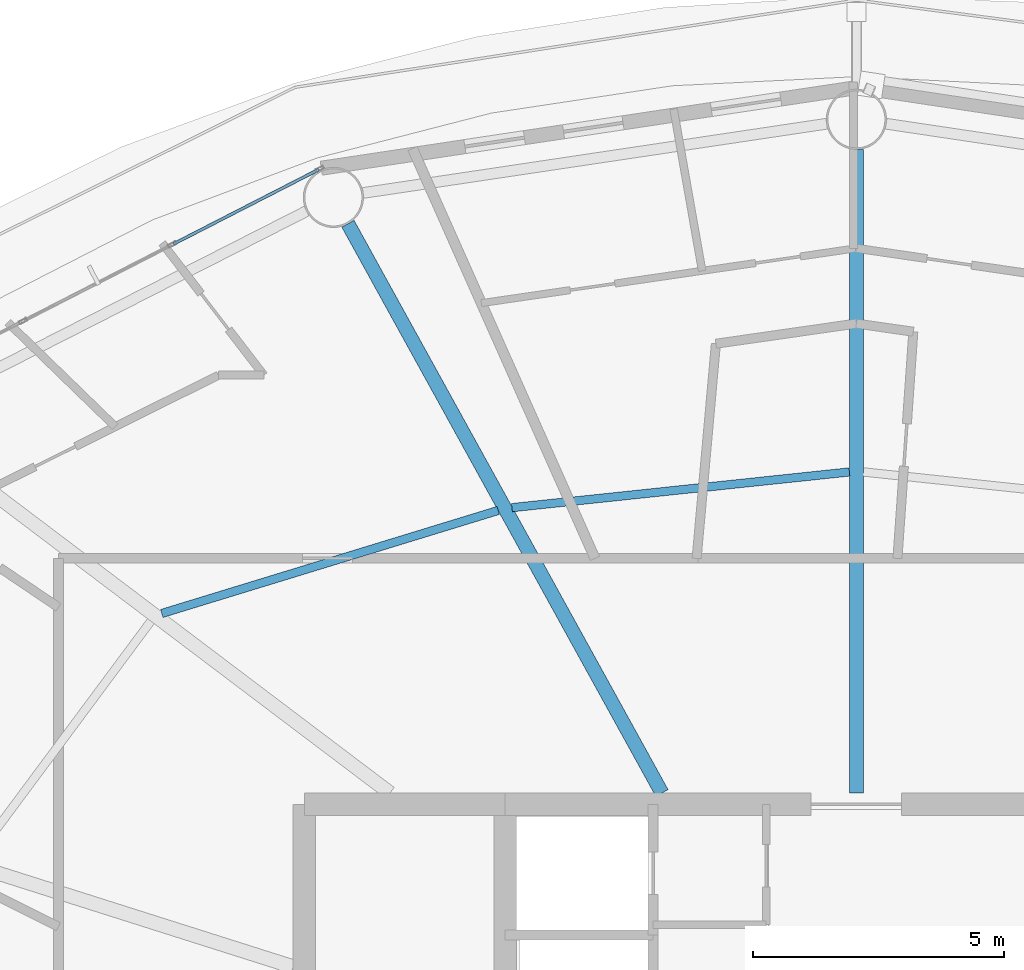
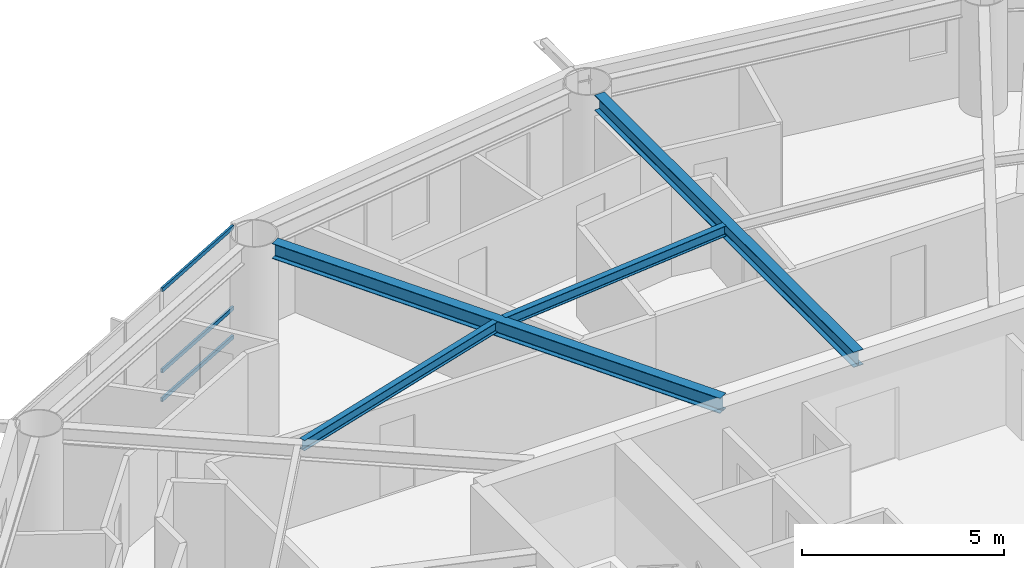
# One storey, part 12 of 28: 4 beams, 3 members, 1 element without a shape of its own.
"""IFC4 building model written with IfcOpenShell, lengths in metres."""

from ifc_helpers import new_model, si_unit, direction, frame, origin, origin_2d, place, context, subcontext, project, spatial, hollow_rectangle, i_section, extrude, material, layer, layer_set, material_profile, profile_set, type_object, element, aggregate, save


model = new_model("IFC4")

# Units and contexts
model_context = context("Model", 3, precision=1e-05, world=origin(), true_north=direction((0.0, 1.0)))
body_context = subcontext(model_context, "Body", "Model", "MODEL_VIEW")
ifc_project = project(units=[si_unit("LENGTHUNIT", "METRE"), si_unit("AREAUNIT", "SQUARE_METRE"), si_unit("VOLUMEUNIT", "CUBIC_METRE"), si_unit("PLANEANGLEUNIT", "RADIAN"), si_unit("MASSUNIT", "GRAM", prefix="KILO")], contexts=[model_context])

# Site, building, storey
site_placement = place(None, origin())
site = spatial("IfcSite", under=ifc_project, at=site_placement, CompositionType="ELEMENT")
building_placement = place(site_placement, origin())
building = spatial("IfcBuilding", under=site, at=building_placement, Name="Sarneth Arch Tower", CompositionType="ELEMENT")
storey_placement = place(building_placement, frame((0.0, 0.0, 190.199951171875)))
storey = spatial("IfcBuildingStorey", under=building, at=storey_placement, Name="L48", CompositionType="ELEMENT", Elevation=190.199951171875)

# Beams
ifc_material_1 = material(Name="Steel S355", Category="steel")
ifc_material_profile_1 = material_profile(ifc_material_1, i_section(OverallWidth=0.1669921875, OverallDepth=0.31689453125, WebThickness=0.007568359375, FlangeThickness=0.01318359375, FilletRadius=0.012939453125, at=origin_2d()), Name="W310x52")
ifc_profile_set_1 = profile_set([ifc_material_profile_1], Name="Steel S355")
beam_type_1 = type_object("IfcBeamType", Name="BM-JOIST-310B", PredefinedType="JOIST", material=ifc_profile_set_1)
beam_1_placement = place(storey_placement, frame((47.86083984375, 55.4228515625, 3.221435546875), z_axis=(-0.994447340543, -0.105235387994, 0.0), x_axis=(0.105235387994, -0.994447340543, 0.0)))
element("IfcBeam", 1, at=beam_1_placement, inside=storey, type_object=beam_type_1, Name="L48 Secondary floor joist 05", PredefinedType="JOIST", context=body_context, shape_type="SweptSolid", body=[
    extrude(i_section(OverallWidth=0.1669921875, OverallDepth=0.31689453125, WebThickness=0.007568359375, FlangeThickness=0.01318359375, FilletRadius=0.012939453125, at=origin_2d()), origin(), (0.0, 0.0, 1.0), 6.7626953125),
])
beam_2_placement = place(storey_placement, frame((40.862548828125, 54.655517578125, 3.221435546875), z_axis=(-0.956178669891, -0.292783796076, 0.0), x_axis=(0.292783796076, -0.956178669891, 0.0)))
element("IfcBeam", 2, at=beam_2_placement, inside=storey, type_object=beam_type_1, Name="L48 Secondary floor joist 06", PredefinedType="JOIST", context=body_context, shape_type="SweptSolid", body=[
    extrude(i_section(OverallWidth=0.1669921875, OverallDepth=0.31689453125, WebThickness=0.007568359375, FlangeThickness=0.01318359375, FilletRadius=0.012939453125, at=origin_2d()), origin(), (0.0, 0.0, 1.0), 7.010986328125),
])
ifc_material_2 = material(Name="Steel S355", Category="steel")
ifc_material_profile_2 = material_profile(ifc_material_2, i_section(OverallWidth=0.280029296875, OverallDepth=0.462890625, WebThickness=0.0107421875, FlangeThickness=0.017333984375, FilletRadius=0.01806640625, at=origin_2d()), Name="W460x113")
ifc_profile_set_2 = profile_set([ifc_material_profile_2], Name="Steel S355")
beam_type_2 = type_object("IfcBeamType", Name="BM-RAD-460A", PredefinedType="BEAM", material=ifc_profile_set_2)
beam_3_placement = place(storey_placement, frame((48.0, 49.02490234375, 3.1484375), z_axis=(0.0, 1.0, 0.0), x_axis=(-1.0, 0.0, 0.0)))
element("IfcBeam", 3, at=beam_3_placement, inside=storey, type_object=beam_type_2, Name="L48 Radial floor girder 05", PredefinedType="BEAM", context=body_context, shape_type="SweptSolid", body=[
    extrude(i_section(OverallWidth=0.280029296875, OverallDepth=0.462890625, WebThickness=0.0107421875, FlangeThickness=0.017333984375, FilletRadius=0.01806640625, at=origin_2d()), origin(), (0.0, 0.0, 1.0), 12.8251953125),
])
beam_4_placement = place(storey_placement, frame((44.125, 49.02490234375, 3.1484375), z_axis=(-0.483010082599, 0.875614789795, 0.0), x_axis=(-0.875614789795, -0.483010082599, 0.0)))
element("IfcBeam", 4, at=beam_4_placement, inside=storey, type_object=beam_type_2, Name="L48 Radial floor girder 06", PredefinedType="BEAM", context=body_context, shape_type="SweptSolid", body=[
    extrude(i_section(OverallWidth=0.280029296875, OverallDepth=0.462890625, WebThickness=0.0107421875, FlangeThickness=0.017333984375, FilletRadius=0.01806640625, at=origin_2d()), origin(), (0.0, 0.0, 1.0), 12.954345703125),
])

# Curtain wall, members
ifc_material_3 = material(Name="Anodised aluminium Type AA25 and solar-control low-e laminated IGU", Category="aluminium")
ifc_layer = layer(ifc_material_3, 0.169921875)
ifc_layer_set = layer_set([ifc_layer], Name="Anodised aluminium Type AA25 and solar-control low-e laminated IGU")
curtain_wall_type = type_object("IfcCurtainWallType", Name="CW-RES-MID", PredefinedType="NOTDEFINED", material=ifc_layer_set)
curtain_wall_placement = place(storey_placement, origin())
curtain_wall = element("IfcCurtainWall", 5, at=curtain_wall_placement, inside=storey, type_object=curtain_wall_type, Name="L48 Unitised curtain wall facet 06", PredefinedType="NOTDEFINED")
ifc_material_4 = material(Name="Anodised Aluminium 6063-T6", Category="aluminium")
ifc_material_profile_3 = material_profile(ifc_material_4, hollow_rectangle(XDim=0.06005859375, YDim=0.1201171875, WallThickness=0.00390625, at=origin_2d()), Name="AL-TRAN-120x60x4")
ifc_profile_set_3 = profile_set([ifc_material_profile_3], Name="Anodised Aluminium 6063-T6")
member_type = type_object("IfcMemberType", Name="CW-TRANSOM", PredefinedType="USERDEFINED", material=ifc_profile_set_3)
member_1_placement = place(storey_placement, frame((37.28369140625, 61.447998046875, 0.030029296875), z_axis=(-0.889857362344, -0.456238835131, 0.0), x_axis=(0.456238835131, -0.889857362344, 0.0)))
member_1 = element("IfcMember", 6, at=member_1_placement, type_object=member_type, Name="CW-SYS-5 transom 1.1", ObjectType="TRANSOM", PredefinedType="USERDEFINED", context=body_context, shape_type="SweptSolid", body=[
    extrude(hollow_rectangle(XDim=0.06005859375, YDim=0.1201171875, WallThickness=0.00390625, at=origin_2d()), origin(), (0.0, 0.0, 1.0), 3.248779296875),
])
member_2_placement = place(storey_placement, frame((37.28369140625, 61.447998046875, 0.900146484375), z_axis=(-0.889857362344, -0.456238835131, 0.0), x_axis=(0.456238835131, -0.889857362344, 0.0)))
member_2 = element("IfcMember", 7, at=member_2_placement, type_object=member_type, Name="CW-SYS-5 transom 1.2", ObjectType="TRANSOM", PredefinedType="USERDEFINED", context=body_context, shape_type="SweptSolid", body=[
    extrude(hollow_rectangle(XDim=0.06005859375, YDim=0.1201171875, WallThickness=0.00390625, at=origin_2d()), origin(), (0.0, 0.0, 1.0), 3.248779296875),
])
member_3_placement = place(storey_placement, frame((37.28369140625, 61.447998046875, 3.35009765625), z_axis=(-0.889857362344, -0.456238835131, 0.0), x_axis=(0.456238835131, -0.889857362344, 0.0)))
member_3 = element("IfcMember", 8, at=member_3_placement, type_object=member_type, Name="CW-SYS-5 transom 1.3", ObjectType="TRANSOM", PredefinedType="USERDEFINED", context=body_context, shape_type="SweptSolid", body=[
    extrude(hollow_rectangle(XDim=0.06005859375, YDim=0.1201171875, WallThickness=0.00390625, at=origin_2d()), origin(), (0.0, 0.0, 1.0), 3.248779296875),
])
aggregate(curtain_wall, [member_1, member_2, member_3])

save(model, "model.ifc")
